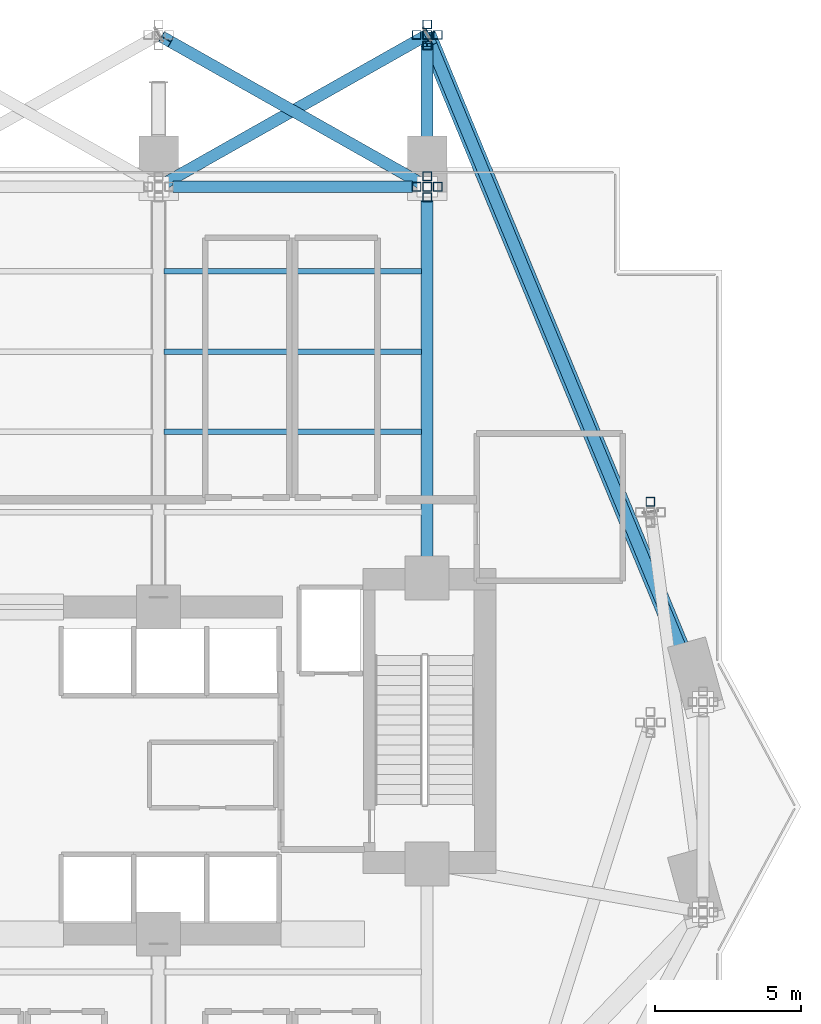
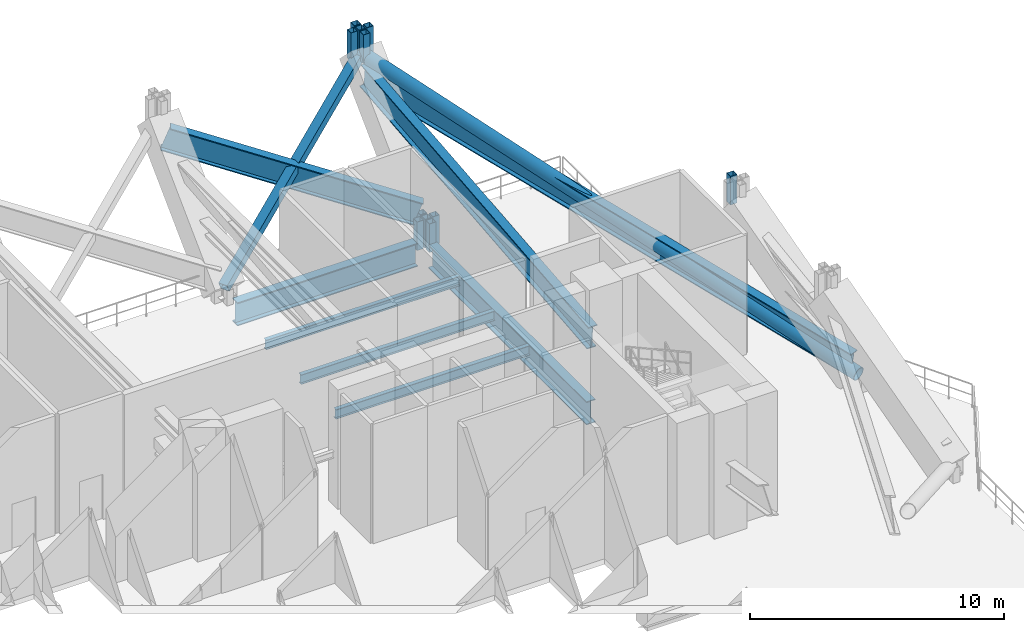
# One storey, part 6 of 18: 13 members, 8 beams.
"""IFC4 building model written with IfcOpenShell, lengths in metres."""

from ifc_helpers import new_model, si_unit, direction, frame, origin, origin_2d, place, context, subcontext, project, spatial, hollow_rectangle, hollow_circle, i_section, extrude, material, material_profile, profile_set, type_object, element, save


model = new_model("IFC4")

# Units and contexts
model_context = context("Model", 3, precision=1e-05, world=origin(), true_north=direction((0.0, 1.0)))
body_context = subcontext(model_context, "Body", "Model", "MODEL_VIEW")
ifc_project = project(units=[si_unit("LENGTHUNIT", "METRE"), si_unit("AREAUNIT", "SQUARE_METRE"), si_unit("VOLUMEUNIT", "CUBIC_METRE"), si_unit("PLANEANGLEUNIT", "RADIAN"), si_unit("MASSUNIT", "GRAM", prefix="KILO")], contexts=[model_context])

# Site, building, storey
site_placement = place(None, origin())
site = spatial("IfcSite", under=ifc_project, at=site_placement, CompositionType="ELEMENT")
building_placement = place(site_placement, origin())
building = spatial("IfcBuilding", under=site, at=building_placement, Name="Zuhayl Quay Hotel", CompositionType="ELEMENT")
storey_placement = place(building_placement, frame((0.0, 0.0, 162.199951171875)))
storey = spatial("IfcBuildingStorey", under=building, at=storey_placement, Name="L41", CompositionType="ELEMENT", Elevation=162.199951171875)

# Beams
ifc_material_1 = material(Name="Steel ASTM A992 Grade 50", Category="steel")
ifc_material_profile_1 = material_profile(ifc_material_1, i_section(OverallWidth=0.18994140625, OverallDepth=0.45703125, WebThickness=0.009033203125, FlangeThickness=0.014404296875, at=origin_2d()), Name="W18X50")
ifc_profile_set_1 = profile_set([ifc_material_profile_1], Name="Steel ASTM A992 Grade 50")
beam_type_1 = type_object("IfcBeamType", Name="BM_J2_W18X50", PredefinedType="JOIST", material=ifc_profile_set_1)
for number, where, z_axis, x_axis, name in (
    (1, (4.7939453125, 19.35009765625, -0.488525390625), (1.0, 0.0, 0.0), (0.0, 1.0, 0.0), "L41 Floor Beam FJ_L41_2_3"),
    (2, (4.7939453125, 22.10009765625, -0.488525390625), (1.0, 0.0, 0.0), (0.0, 1.0, 0.0), "L41 Floor Beam FJ_L41_3_3"),
    (3, (4.7939453125, 24.85009765625, -0.488525390625), (1.0, 0.0, 0.0), (0.0, 1.0, 0.0), "L41 Floor Beam FJ_L41_4_3"),
):
    element("IfcBeam", number, at=place(storey_placement, frame(where, z_axis=z_axis, x_axis=x_axis)), inside=storey, type_object=beam_type_1, Name=name, PredefinedType="JOIST", context=body_context, shape_type="SweptSolid", body=[
        extrude(i_section(OverallWidth=0.18994140625, OverallDepth=0.45703125, WebThickness=0.009033203125, FlangeThickness=0.014404296875, at=origin_2d()), origin(), (0.0, 0.0, 1.0), 8.81201171875),
    ])
ifc_material_2 = material(Name="Steel ASTM A913 Grade 65", Category="steel")
ifc_material_profile_2 = material_profile(ifc_material_2, i_section(OverallWidth=0.404052734375, OverallDepth=1.117919921875, WebThickness=0.026123046875, FlangeThickness=0.044921875, at=origin_2d()), Name="W44X335")
ifc_profile_set_2 = profile_set([ifc_material_profile_2], Name="Steel ASTM A913 Grade 65")
beam_type_2 = type_object("IfcBeamType", Name="BM_TG1_W44X335", PredefinedType="BEAM", material=ifc_profile_set_2)
beam_1_placement = place(storey_placement, frame((13.300048828125, 27.75, -0.81884765625), z_axis=(-1.0, 0.0, 0.0), x_axis=(0.0, -1.0, 0.0)))
element("IfcBeam", 4, at=beam_1_placement, inside=storey, type_object=beam_type_2, Name="L41 Floor Beam RG_L41_07", PredefinedType="BEAM", context=body_context, shape_type="SweptSolid", body=[
    extrude(i_section(OverallWidth=0.404052734375, OverallDepth=1.117919921875, WebThickness=0.026123046875, FlangeThickness=0.044921875, at=origin_2d()), origin(), (0.0, 0.0, 1.0), 8.199951171875),
])
beam_2_placement = place(storey_placement, frame((23.13525390625, 10.377197265625, 0.949951171875), z_axis=(-0.377816853705, 0.913585101567, 0.150388454517), x_axis=(-0.9240948474, -0.38216320206, 0.0)))
element("IfcBeam", 5, at=beam_2_placement, inside=storey, type_object=beam_type_2, Name="L41 Wind-Floor Inclined Belt Girder 06", PredefinedType="BEAM", context=body_context, shape_type="SweptSolid", body=[
    extrude(i_section(OverallWidth=0.404052734375, OverallDepth=1.117919921875, WebThickness=0.026123046875, FlangeThickness=0.044921875, at=origin_2d()), origin(), (0.0, 0.0, 1.0), 24.404541015625),
])
beam_3_placement = place(storey_placement, frame((13.538818359375, 27.897705078125, 0.949951171875), z_axis=(-0.816946933042, 0.46175061571, 0.345520010253), x_axis=(-0.492055642544, -0.870563751049, 0.0)))
element("IfcBeam", 6, at=beam_3_placement, inside=storey, type_object=beam_type_2, Name="L41 Wind-Floor Inclined Belt Girder 07", PredefinedType="BEAM", context=body_context, shape_type="SweptSolid", body=[
    extrude(i_section(OverallWidth=0.404052734375, OverallDepth=1.117919921875, WebThickness=0.026123046875, FlangeThickness=0.044921875, at=origin_2d()), origin(), (0.0, 0.0, 1.0), 10.6220703125),
])
beam_4_placement = place(storey_placement, frame((13.800048828125, 14.699951171875, 2.85009765625), z_axis=(0.0, 0.995146642423, 0.098403049108), x_axis=(-1.0, 0.0, 0.0)))
element("IfcBeam", 7, at=beam_4_placement, inside=storey, type_object=beam_type_2, Name="L41 Wind-Floor Inclined Outrigger Girder 2", PredefinedType="BEAM", context=body_context, shape_type="SweptSolid", body=[
    extrude(i_section(OverallWidth=0.404052734375, OverallDepth=1.117919921875, WebThickness=0.026123046875, FlangeThickness=0.044921875, at=origin_2d()), origin(), (0.0, 0.0, 1.0), 17.987548828125),
])
beam_5_placement = place(storey_placement, frame((13.800048828125, 14.800048828125, -0.81884765625), z_axis=(0.0, 1.0, 0.0), x_axis=(-1.0, 0.0, 0.0)))
element("IfcBeam", 8, at=beam_5_placement, inside=storey, type_object=beam_type_2, Name="L41 Floor Beam FG_N_L41_4", PredefinedType="BEAM", context=body_context, shape_type="SweptSolid", body=[
    extrude(i_section(OverallWidth=0.404052734375, OverallDepth=1.117919921875, WebThickness=0.026123046875, FlangeThickness=0.044921875, at=origin_2d()), origin(), (0.0, 0.0, 1.0), 12.449951171875),
])

# Members
ifc_material_3 = material(Name="Steel ASTM A500 Grade C", Category="steel")
ifc_material_profile_3 = material_profile(ifc_material_3, hollow_rectangle(XDim=0.39990234375, YDim=0.39990234375, WallThickness=0.01611328125, at=origin_2d()), Name="HSS400X400X16")
ifc_profile_set_3 = profile_set([ifc_material_profile_3], Name="Steel ASTM A500 Grade C")
member_type_1 = type_object("IfcMemberType", Name="MB_BT_DIAG_HSS400", PredefinedType="BRACE", material=ifc_profile_set_3)
member_1_placement = place(storey_placement, frame((4.60009765625, 27.75, 0.550048828125), z_axis=(0.789796824295, 0.446405078169, 0.420646505416), x_axis=(-0.492055734166, 0.870563699263, 0.0)))
element("IfcMember", 9, at=member_1_placement, inside=storey, type_object=member_type_1, Name="L41 Belt Truss BT2 Diagonal N34", PredefinedType="BRACE", context=body_context, shape_type="SweptSolid", body=[
    extrude(hollow_rectangle(XDim=0.39990234375, YDim=0.39990234375, WallThickness=0.01611328125, at=origin_2d()), origin(), (0.0, 0.0, 1.0), 11.6484375),
])
ifc_material_profile_4 = material_profile(ifc_material_3, hollow_rectangle(XDim=0.300048828125, YDim=0.300048828125, WallThickness=0.012451171875, at=origin_2d()), Name="HSS300X300X12")
ifc_profile_set_4 = profile_set([ifc_material_profile_4], Name="Steel ASTM A500 Grade C")
member_type_2 = type_object("IfcMemberType", Name="MB_CR_BRACE_HSS300", PredefinedType="BRACE", material=ifc_profile_set_4)
member_2_placement = place(storey_placement, frame((13.800048828125, 27.75, -0.64990234375), z_axis=(0.0, 0.0, 1.0), x_axis=(1.0, 0.0, 0.0)))
element("IfcMember", 10, at=member_2_placement, inside=storey, type_object=member_type_2, Name="L41 Mega-Column Lower Knuckle Leg MC_N4-1", PredefinedType="STRUT", context=body_context, shape_type="SweptSolid", body=[
    extrude(hollow_rectangle(XDim=0.300048828125, YDim=0.300048828125, WallThickness=0.012451171875, at=origin_2d()), origin(), (0.0, 0.0, 1.0), 1.369873046875),
])
member_3_placement = place(storey_placement, frame((13.800048828125, 32.949951171875, 5.280029296875), z_axis=(0.0, 0.0, 1.0), x_axis=(1.0, 0.0, 0.0)))
element("IfcMember", 11, at=member_3_placement, inside=storey, type_object=member_type_2, Name="L41 Mega-Column Upper Knuckle Leg MC_N4-1", PredefinedType="STRUT", context=body_context, shape_type="SweptSolid", body=[
    extrude(hollow_rectangle(XDim=0.300048828125, YDim=0.300048828125, WallThickness=0.012451171875, at=origin_2d()), origin(), (0.0, 0.0, 1.0), 1.3701171875),
])
member_4_placement = place(storey_placement, frame((13.800048828125, 28.110107421875, -0.64990234375), z_axis=(0.0, 0.0, 1.0), x_axis=(1.0, 0.0, 0.0)))
element("IfcMember", 12, at=member_4_placement, inside=storey, type_object=member_type_2, Name="L41 Mega-Column Lower Knuckle Leg MC_N4-2", PredefinedType="STRUT", context=body_context, shape_type="SweptSolid", body=[
    extrude(hollow_rectangle(XDim=0.300048828125, YDim=0.300048828125, WallThickness=0.012451171875, at=origin_2d()), origin(), (0.0, 0.0, 1.0), 1.369873046875),
])
member_5_placement = place(storey_placement, frame((13.800048828125, 33.31005859375, 5.280029296875), z_axis=(0.0, 0.0, 1.0), x_axis=(1.0, 0.0, 0.0)))
element("IfcMember", 13, at=member_5_placement, inside=storey, type_object=member_type_2, Name="L41 Mega-Column Upper Knuckle Leg MC_N4-2", PredefinedType="STRUT", context=body_context, shape_type="SweptSolid", body=[
    extrude(hollow_rectangle(XDim=0.300048828125, YDim=0.300048828125, WallThickness=0.012451171875, at=origin_2d()), origin(), (0.0, 0.0, 1.0), 1.3701171875),
])
member_6_placement = place(storey_placement, frame((13.800048828125, 27.389892578125, -0.64990234375), z_axis=(0.0, 0.0, 1.0), x_axis=(1.0, 0.0, 0.0)))
element("IfcMember", 14, at=member_6_placement, inside=storey, type_object=member_type_2, Name="L41 Mega-Column Lower Knuckle Leg MC_N4-3", PredefinedType="STRUT", context=body_context, shape_type="SweptSolid", body=[
    extrude(hollow_rectangle(XDim=0.300048828125, YDim=0.300048828125, WallThickness=0.012451171875, at=origin_2d()), origin(), (0.0, 0.0, 1.0), 1.369873046875),
])
member_7_placement = place(storey_placement, frame((13.800048828125, 32.590087890625, 5.280029296875), z_axis=(0.0, 0.0, 1.0), x_axis=(1.0, 0.0, 0.0)))
element("IfcMember", 15, at=member_7_placement, inside=storey, type_object=member_type_2, Name="L41 Mega-Column Upper Knuckle Leg MC_N4-3", PredefinedType="STRUT", context=body_context, shape_type="SweptSolid", body=[
    extrude(hollow_rectangle(XDim=0.300048828125, YDim=0.300048828125, WallThickness=0.012451171875, at=origin_2d()), origin(), (0.0, 0.0, 1.0), 1.3701171875),
])
member_8_placement = place(storey_placement, frame((14.159912109375, 27.75, -0.64990234375), z_axis=(0.0, 0.0, 1.0), x_axis=(1.0, 0.0, 0.0)))
element("IfcMember", 16, at=member_8_placement, inside=storey, type_object=member_type_2, Name="L41 Mega-Column Lower Knuckle Leg MC_N4-4", PredefinedType="STRUT", context=body_context, shape_type="SweptSolid", body=[
    extrude(hollow_rectangle(XDim=0.300048828125, YDim=0.300048828125, WallThickness=0.012451171875, at=origin_2d()), origin(), (0.0, 0.0, 1.0), 1.369873046875),
])
member_9_placement = place(storey_placement, frame((14.159912109375, 32.949951171875, 5.280029296875), z_axis=(0.0, 0.0, 1.0), x_axis=(1.0, 0.0, 0.0)))
element("IfcMember", 17, at=member_9_placement, inside=storey, type_object=member_type_2, Name="L41 Mega-Column Upper Knuckle Leg MC_N4-4", PredefinedType="STRUT", context=body_context, shape_type="SweptSolid", body=[
    extrude(hollow_rectangle(XDim=0.300048828125, YDim=0.300048828125, WallThickness=0.012451171875, at=origin_2d()), origin(), (0.0, 0.0, 1.0), 1.3701171875),
])
member_10_placement = place(storey_placement, frame((13.43994140625, 27.75, -0.64990234375), z_axis=(0.0, 0.0, 1.0), x_axis=(1.0, 0.0, 0.0)))
element("IfcMember", 18, at=member_10_placement, inside=storey, type_object=member_type_2, Name="L41 Mega-Column Lower Knuckle Leg MC_N4-5", PredefinedType="STRUT", context=body_context, shape_type="SweptSolid", body=[
    extrude(hollow_rectangle(XDim=0.300048828125, YDim=0.300048828125, WallThickness=0.012451171875, at=origin_2d()), origin(), (0.0, 0.0, 1.0), 1.369873046875),
])
for number, where, z_axis, x_axis, name in (
    (19, (13.43994140625, 32.949951171875, 5.280029296875), (0.0, 0.0, 1.0), (1.0, 0.0, 0.0), "L41 Mega-Column Upper Knuckle Leg MC_N4-5"),
    (20, (21.449951171875, 16.9599609375, 5.280029296875), (0.0, 0.0, 1.0), (1.0, 0.0, 0.0), "L41 Mega-Column Upper Knuckle Leg MC_E2-2"),
):
    element("IfcMember", number, at=place(storey_placement, frame(where, z_axis=z_axis, x_axis=x_axis)), inside=storey, type_object=member_type_2, Name=name, PredefinedType="STRUT", context=body_context, shape_type="SweptSolid", body=[
        extrude(hollow_rectangle(XDim=0.300048828125, YDim=0.300048828125, WallThickness=0.012451171875, at=origin_2d()), origin(), (0.0, 0.0, 1.0), 1.3701171875),
    ])
ifc_material_profile_5 = material_profile(ifc_material_3, hollow_circle(Radius=0.304931640625, WallThickness=0.02001953125, at=origin_2d()), Name="CHS610X20")
ifc_profile_set_5 = profile_set([ifc_material_profile_5], Name="Steel ASTM A500 Grade C")
member_type_3 = type_object("IfcMemberType", Name="MB_ST_CHS610", PredefinedType="STRUT", material=ifc_profile_set_5)
member_11_placement = place(storey_placement, frame((23.25, 10.10009765625, 0.550048828125), z_axis=(-0.374884020086, 0.906464466166, 0.19438143703), x_axis=(-0.924090550743, -0.382173591483, 0.0)))
element("IfcMember", 21, at=member_11_placement, inside=storey, type_object=member_type_3, Name="L41 Wind-Floor Corner Mega-Strut NE", PredefinedType="STRUT", context=body_context, shape_type="SweptSolid", body=[
    extrude(hollow_circle(Radius=0.304931640625, WallThickness=0.02001953125, at=origin_2d()), origin(), (0.0, 0.0, 1.0), 25.207763671875),
])

save(model, "model.ifc")
